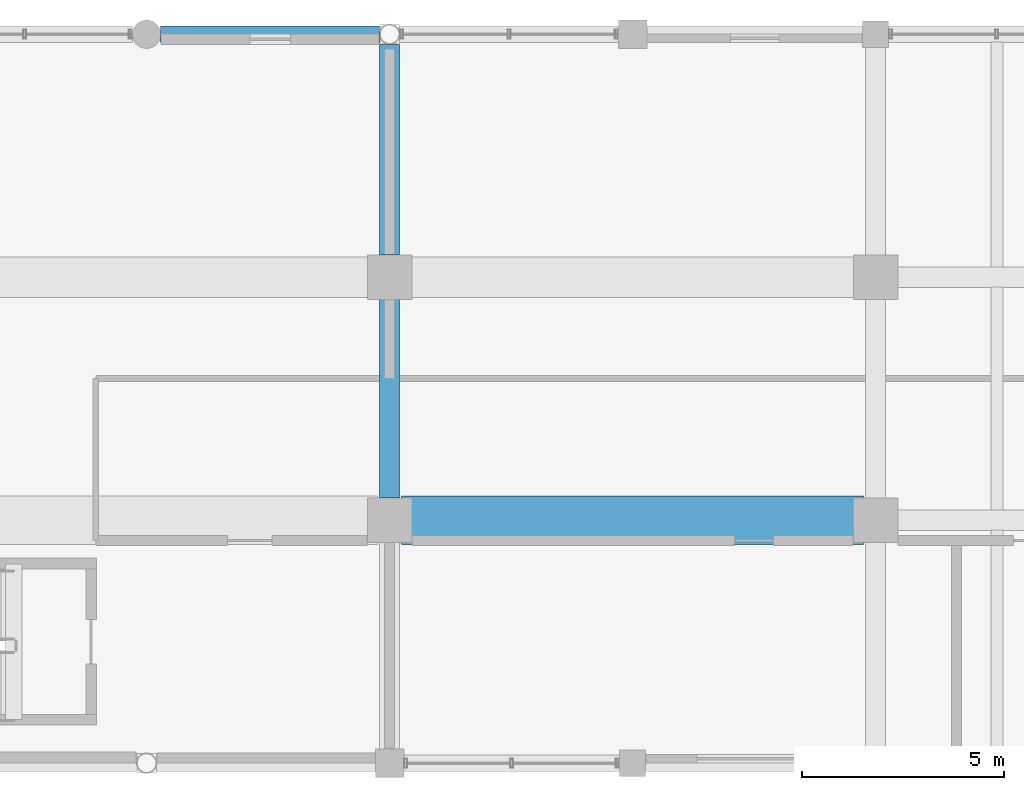
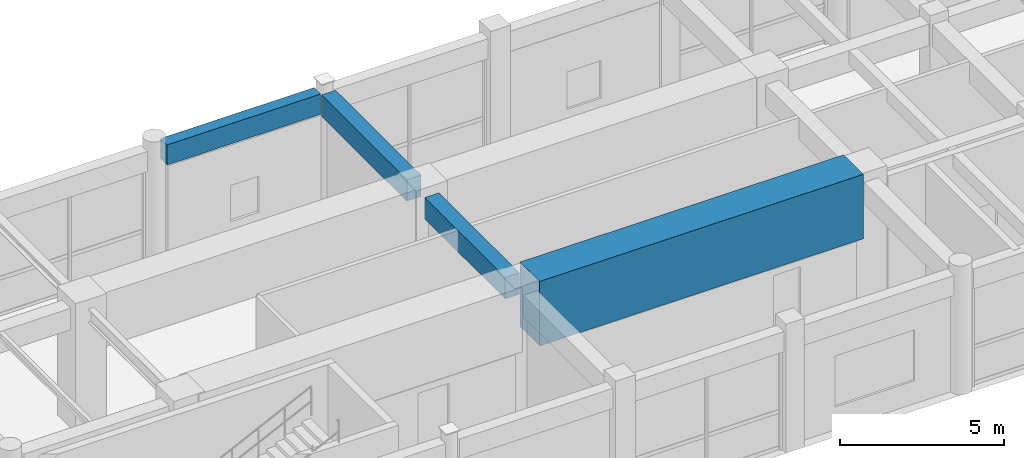
# One storey, part 56 of 123: 4 beams.
"""IFC4 building model written with IfcOpenShell, lengths in metres."""

from ifc_helpers import new_model, si_unit, direction, frame, origin, origin_2d, place, context, subcontext, project, spatial, rectangle, extrude, material, material_profile, profile_set, type_object, element, save


model = new_model("IFC4")

# Units and contexts
model_context = context("Model", 3, precision=1e-05, world=origin(), true_north=direction((0.0, 1.0)))
body_context = subcontext(model_context, "Body", "Model", "MODEL_VIEW")
ifc_project = project(units=[si_unit("LENGTHUNIT", "METRE"), si_unit("AREAUNIT", "SQUARE_METRE"), si_unit("VOLUMEUNIT", "CUBIC_METRE"), si_unit("PLANEANGLEUNIT", "RADIAN"), si_unit("MASSUNIT", "GRAM", prefix="KILO"), si_unit("THERMODYNAMICTEMPERATUREUNIT", "KELVIN"), si_unit("POWERUNIT", "WATT")], contexts=[model_context])

# Site, building, storey
site_placement = place(None, origin())
site = spatial("IfcSite", under=ifc_project, at=site_placement, CompositionType="ELEMENT")
building_placement = place(site_placement, origin())
building = spatial("IfcBuilding", under=site, at=building_placement, Name="Phaisarnlok Congress Hotel", CompositionType="ELEMENT")
storey_placement = place(building_placement, frame((0.0, 0.0, 15.0)))
storey = spatial("IfcBuildingStorey", under=building, at=storey_placement, Name="L03", CompositionType="ELEMENT", Elevation=15.0)

# Beams
ifc_material_1 = material(Name="Concrete C40/50", Category="concrete")
ifc_material_profile_1 = material_profile(ifc_material_1, rectangle(XDim=0.5, YDim=0.800048828125, at=origin_2d()), Name="RC 500x800")
ifc_profile_set_1 = profile_set([ifc_material_profile_1], Name="Concrete C40/50")
beam_type_1 = type_object("IfcBeamType", Name="BM-RC-500x800", PredefinedType="BEAM", material=ifc_profile_set_1)
beam_1_placement = place(storey_placement, frame((84.0, 114.544921875, 4.050048828125), z_axis=(0.0, 1.0, 0.0), x_axis=(-1.0, 0.0, 0.0)))
element("IfcBeam", 1, at=beam_1_placement, inside=storey, type_object=beam_type_1, Name="Beam B-04", PredefinedType="BEAM", context=body_context, shape_type="SweptSolid", body=[
    extrude(rectangle(XDim=0.5, YDim=0.800048828125, at=origin_2d()), origin(), (0.0, 0.0, 1.0), 4.91015625),
])
beam_2_placement = place(storey_placement, frame((84.0, 120.544921875, 4.050048828125), z_axis=(0.0, 1.0, 0.0), x_axis=(-1.0, 0.0, 0.0)))
element("IfcBeam", 2, at=beam_2_placement, inside=storey, type_object=beam_type_1, Name="Beam B-04", PredefinedType="BEAM", context=body_context, shape_type="SweptSolid", body=[
    extrude(rectangle(XDim=0.5, YDim=0.800048828125, at=origin_2d()), origin(), (0.0, 0.0, 1.0), 5.2060546875),
])
ifc_material_profile_2 = material_profile(ifc_material_1, rectangle(XDim=0.39990234375, YDim=0.75, at=origin_2d()), Name="RC 400x750")
ifc_profile_set_2 = profile_set([ifc_material_profile_2], Name="Concrete C40/50")
beam_type_2 = type_object("IfcBeamType", Name="SP-RC-400x750", PredefinedType="SPANDREL", material=ifc_profile_set_2)
beam_3_placement = place(storey_placement, frame((78.344970703125, 126.0, 4.074951171875), z_axis=(1.0, 0.0, 0.0), x_axis=(0.0, 1.0, 0.0)))
element("IfcBeam", 3, at=beam_3_placement, inside=storey, type_object=beam_type_2, Name="Beam SP-02", PredefinedType="SPANDREL", context=body_context, shape_type="SweptSolid", body=[
    extrude(rectangle(XDim=0.39990234375, YDim=0.75, at=origin_2d()), origin(), (0.0, 0.0, 1.0), 5.406005859375),
])
ifc_material_2 = material(Name="Concrete C50/60", Category="concrete")
ifc_material_profile_3 = material_profile(ifc_material_2, rectangle(XDim=1.199951171875, YDim=2.39990234375, at=origin_2d()), Name="RC 1200x2400")
ifc_profile_set_3 = profile_set([ifc_material_profile_3], Name="Concrete C50/60")
beam_type_3 = type_object("IfcBeamType", Name="TG-RC-1200x2400", PredefinedType="BEAM", material=ifc_profile_set_3)
beam_4_placement = place(storey_placement, frame((84.300048828125, 114.0, 3.60009765625), z_axis=(1.0, 0.0, 0.0), x_axis=(0.0, 1.0, 0.0)))
element("IfcBeam", 4, at=beam_4_placement, inside=storey, type_object=beam_type_3, Name="Transfer girder TG-02 supporting hotel wing", PredefinedType="BEAM", context=body_context, shape_type="SweptSolid", body=[
    extrude(rectangle(XDim=1.199951171875, YDim=2.39990234375, at=origin_2d()), origin(), (0.0, 0.0, 1.0), 11.39990234375),
])

save(model, "model.ifc")
